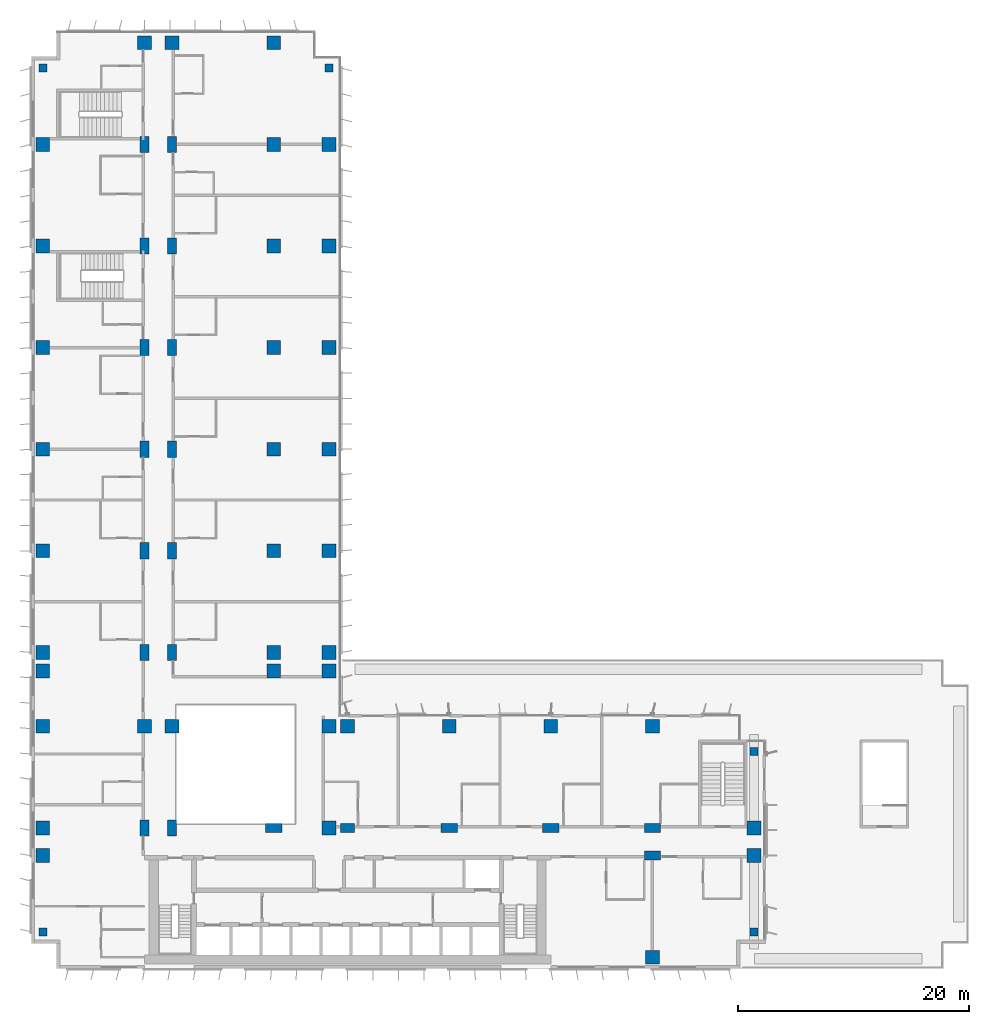
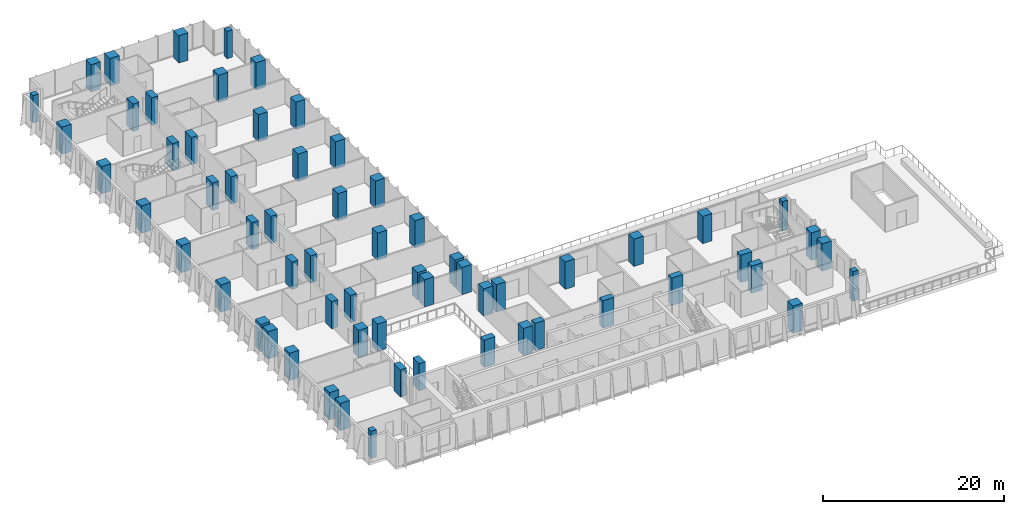
# One storey, part 1 of 27: 63 columns.
"""IFC4 building model written with IfcOpenShell, lengths in metres."""

from ifc_helpers import new_model, si_unit, direction, frame, origin, origin_2d, place, context, subcontext, project, spatial, rectangle, extrude, material, material_profile, profile_set, type_object, element, save


model = new_model("IFC4")

# Units and contexts
model_context = context("Model", 3, precision=1e-05, world=origin(), true_north=direction((0.0, 1.0)))
body_context = subcontext(model_context, "Body", "Model", "MODEL_VIEW")
ifc_project = project(units=[si_unit("LENGTHUNIT", "METRE"), si_unit("AREAUNIT", "SQUARE_METRE"), si_unit("VOLUMEUNIT", "CUBIC_METRE"), si_unit("PLANEANGLEUNIT", "RADIAN"), si_unit("MASSUNIT", "GRAM", prefix="KILO")], contexts=[model_context])

# Site, building, storey
site_placement = place(None, origin())
site = spatial("IfcSite", under=ifc_project, at=site_placement, CompositionType="ELEMENT")
building_placement = place(site_placement, origin())
building = spatial("IfcBuilding", under=site, at=building_placement, Name="Kemantara Hotel Tower", CompositionType="ELEMENT")
storey_placement = place(building_placement, frame((0.0, 0.0, 83.39990234375)))
storey = spatial("IfcBuildingStorey", under=building, at=storey_placement, Name="L19", CompositionType="ELEMENT", Elevation=83.39990234375)

# Columns
ifc_material = material(Name="Concrete fc 70 MPa", Category="concrete")
ifc_material_profile_1 = material_profile(ifc_material, rectangle(XDim=1.199951171875, YDim=1.199951171875, at=origin_2d()), Name="RC 1200X1200")
ifc_profile_set_1 = profile_set([ifc_material_profile_1], Name="Concrete fc 70 MPa")
column_type_1 = type_object("IfcColumnType", Name="RC COLUMN 1200X1200 FC70", PredefinedType="COLUMN", material=ifc_profile_set_1)
for number, where, z_axis, x_axis, name in (
    (1, (1.0, 9.800048828125, 0.0), (0.0, 0.0, 1.0), (1.0, 0.0, 0.0), "COLUMN 1/B L19"),
    (2, (1.0, 12.199951171875, 0.0), (0.0, 0.0, 1.0), (1.0, 0.0, 0.0), "COLUMN 1/BA L19"),
    (3, (1.0, 21.0, 0.0), (0.0, 0.0, 1.0), (1.0, 0.0, 0.0), "COLUMN 1/C L19"),
    (4, (1.0, 25.800048828125, 0.0), (0.0, 0.0, 1.0), (1.0, 0.0, 0.0), "COLUMN 1/CA L19"),
    (5, (1.0, 27.39990234375, 0.0), (0.0, 0.0, 1.0), (1.0, 0.0, 0.0), "COLUMN 1/D L19"),
    (6, (1.0, 36.199951171875, 0.0), (0.0, 0.0, 1.0), (1.0, 0.0, 0.0), "COLUMN 1/E L19"),
    (7, (1.0, 45.0, 0.0), (0.0, 0.0, 1.0), (1.0, 0.0, 0.0), "COLUMN 1/F L19"),
    (8, (1.0, 53.800048828125, 0.0), (0.0, 0.0, 1.0), (1.0, 0.0, 0.0), "COLUMN 1/G L19"),
    (9, (1.0, 62.60009765625, 0.0), (0.0, 0.0, 1.0), (1.0, 0.0, 0.0), "COLUMN 1/H L19"),
    (10, (1.0, 71.39990234375, 0.0), (0.0, 0.0, 1.0), (1.0, 0.0, 0.0), "COLUMN 1/J L19"),
    (11, (9.800048828125, 21.0, 0.0), (0.0, 0.0, 1.0), (1.0, 0.0, 0.0), "COLUMN 2/C L19"),
    (12, (9.800048828125, 80.199951171875, 0.0), (0.0, 0.0, 1.0), (1.0, 0.0, 0.0), "COLUMN 2/K L19"),
    (13, (12.199951171875, 21.0, 0.0), (0.0, 0.0, 1.0), (1.0, 0.0, 0.0), "COLUMN 2A/C L19"),
    (14, (12.199951171875, 80.199951171875, 0.0), (0.0, 0.0, 1.0), (1.0, 0.0, 0.0), "COLUMN 2A/K L19"),
    (15, (21.0, 25.800048828125, 0.0), (0.0, 0.0, 1.0), (1.0, 0.0, 0.0), "COLUMN 3/CA L19"),
    (16, (21.0, 27.39990234375, 0.0), (0.0, 0.0, 1.0), (1.0, 0.0, 0.0), "COLUMN 3/D L19"),
    (17, (21.0, 36.199951171875, 0.0), (0.0, 0.0, 1.0), (1.0, 0.0, 0.0), "COLUMN 3/E L19"),
    (18, (21.0, 45.0, 0.0), (0.0, 0.0, 1.0), (1.0, 0.0, 0.0), "COLUMN 3/F L19"),
    (19, (21.0, 53.800048828125, 0.0), (0.0, 0.0, 1.0), (1.0, 0.0, 0.0), "COLUMN 3/G L19"),
    (20, (21.0, 62.60009765625, 0.0), (0.0, 0.0, 1.0), (1.0, 0.0, 0.0), "COLUMN 3/H L19"),
    (21, (21.0, 71.39990234375, 0.0), (0.0, 0.0, 1.0), (1.0, 0.0, 0.0), "COLUMN 3/J L19"),
    (22, (21.0, 80.199951171875, 0.0), (0.0, 0.0, 1.0), (1.0, 0.0, 0.0), "COLUMN 3/K L19"),
    (23, (25.800048828125, 12.199951171875, 0.0), (0.0, 0.0, 1.0), (1.0, 0.0, 0.0), "COLUMN 3A/BA L19"),
    (24, (25.800048828125, 21.0, 0.0), (0.0, 0.0, 1.0), (1.0, 0.0, 0.0), "COLUMN 3A/C L19"),
    (25, (25.800048828125, 25.800048828125, 0.0), (0.0, 0.0, 1.0), (1.0, 0.0, 0.0), "COLUMN 3A/CA L19"),
    (26, (25.800048828125, 27.39990234375, 0.0), (0.0, 0.0, 1.0), (1.0, 0.0, 0.0), "COLUMN 3A/D L19"),
    (27, (25.800048828125, 36.199951171875, 0.0), (0.0, 0.0, 1.0), (1.0, 0.0, 0.0), "COLUMN 3A/E L19"),
    (28, (25.800048828125, 45.0, 0.0), (0.0, 0.0, 1.0), (1.0, 0.0, 0.0), "COLUMN 3A/F L19"),
    (29, (25.800048828125, 53.800048828125, 0.0), (0.0, 0.0, 1.0), (1.0, 0.0, 0.0), "COLUMN 3A/G L19"),
    (30, (25.800048828125, 62.60009765625, 0.0), (0.0, 0.0, 1.0), (1.0, 0.0, 0.0), "COLUMN 3A/H L19"),
    (31, (25.800048828125, 71.39990234375, 0.0), (0.0, 0.0, 1.0), (1.0, 0.0, 0.0), "COLUMN 3A/J L19"),
    (32, (27.39990234375, 21.0, 0.0), (0.0, 0.0, 1.0), (1.0, 0.0, 0.0), "COLUMN 4/C L19"),
    (33, (36.199951171875, 21.0, 0.0), (0.0, 0.0, 1.0), (1.0, 0.0, 0.0), "COLUMN 5/C L19"),
    (34, (45.0, 21.0, 0.0), (0.0, 0.0, 1.0), (1.0, 0.0, 0.0), "COLUMN 6/C L19"),
    (35, (53.800048828125, 1.0, 0.0), (0.0, 0.0, 1.0), (1.0, 0.0, 0.0), "COLUMN 7/A L19"),
    (36, (53.800048828125, 21.0, 0.0), (0.0, 0.0, 1.0), (1.0, 0.0, 0.0), "COLUMN 7/C L19"),
    (37, (62.60009765625, 9.800048828125, 0.0), (0.0, 0.0, 1.0), (1.0, 0.0, 0.0), "COLUMN 8/B L19"),
    (38, (62.60009765625, 12.199951171875, 0.0), (0.0, 0.0, 1.0), (1.0, 0.0, 0.0), "COLUMN 8/BA L19"),
):
    element("IfcColumn", number, at=place(storey_placement, frame(where, z_axis=z_axis, x_axis=x_axis)), inside=storey, type_object=column_type_1, Name=name, PredefinedType="COLUMN", context=body_context, shape_type="SweptSolid", body=[
        extrude(rectangle(XDim=1.199951171875, YDim=1.199951171875, at=origin_2d()), origin(), (0.0, 0.0, 1.0), 3.7001953125),
    ])
ifc_material_profile_2 = material_profile(ifc_material, rectangle(XDim=1.199951171875, YDim=0.800048828125, at=origin_2d()), Name="RC 1200X800")
ifc_profile_set_2 = profile_set([ifc_material_profile_2], Name="Concrete fc 70 MPa")
column_type_2 = type_object("IfcColumnType", Name="RC COLUMN 1200X800 FC70", PredefinedType="COLUMN", material=ifc_profile_set_2)
column_placement = place(storey_placement, frame((27.39990234375, 12.199951171875, 0.0), z_axis=(0.0, 0.0, 1.0), x_axis=(1.0, 0.0, 0.0)))
element("IfcColumn", 39, at=column_placement, inside=storey, type_object=column_type_2, Name="COLUMN 4/BA L19", PredefinedType="COLUMN", context=body_context, shape_type="SweptSolid", body=[
    extrude(rectangle(XDim=1.199951171875, YDim=0.800048828125, at=origin_2d()), origin(), (0.0, 0.0, 1.0), 3.7001953125),
])
ifc_material_profile_3 = material_profile(ifc_material, rectangle(XDim=1.39990234375, YDim=0.800048828125, at=origin_2d()), Name="RC 1400X800")
ifc_profile_set_3 = profile_set([ifc_material_profile_3], Name="Concrete fc 70 MPa")
column_type_3 = type_object("IfcColumnType", Name="RC COLUMN 1400X800 FC70", PredefinedType="COLUMN", material=ifc_profile_set_3)
for number, where, z_axis, x_axis, name in (
    (40, (9.800048828125, 12.199951171875, 0.0), (0.0, 0.0, 1.0), (0.0, 1.0, 0.0), "COLUMN 2/BA L19"),
    (41, (9.800048828125, 27.39990234375, 0.0), (0.0, 0.0, 1.0), (0.0, 1.0, 0.0), "COLUMN 2/D L19"),
    (42, (9.800048828125, 36.199951171875, 0.0), (0.0, 0.0, 1.0), (0.0, 1.0, 0.0), "COLUMN 2/E L19"),
    (43, (9.800048828125, 45.0, 0.0), (0.0, 0.0, 1.0), (0.0, 1.0, 0.0), "COLUMN 2/F L19"),
    (44, (9.800048828125, 53.800048828125, 0.0), (0.0, 0.0, 1.0), (0.0, 1.0, 0.0), "COLUMN 2/G L19"),
    (45, (9.800048828125, 62.60009765625, 0.0), (0.0, 0.0, 1.0), (0.0, 1.0, 0.0), "COLUMN 2/H L19"),
    (46, (9.800048828125, 71.39990234375, 0.0), (0.0, 0.0, 1.0), (0.0, 1.0, 0.0), "COLUMN 2/J L19"),
    (47, (12.199951171875, 12.199951171875, 0.0), (0.0, 0.0, 1.0), (0.0, 1.0, 0.0), "COLUMN 2A/BA L19"),
    (48, (12.199951171875, 27.39990234375, 0.0), (0.0, 0.0, 1.0), (0.0, 1.0, 0.0), "COLUMN 2A/D L19"),
    (49, (12.199951171875, 36.199951171875, 0.0), (0.0, 0.0, 1.0), (0.0, 1.0, 0.0), "COLUMN 2A/E L19"),
    (50, (12.199951171875, 45.0, 0.0), (0.0, 0.0, 1.0), (0.0, 1.0, 0.0), "COLUMN 2A/F L19"),
    (51, (12.199951171875, 53.800048828125, 0.0), (0.0, 0.0, 1.0), (0.0, 1.0, 0.0), "COLUMN 2A/G L19"),
    (52, (12.199951171875, 62.60009765625, 0.0), (0.0, 0.0, 1.0), (0.0, 1.0, 0.0), "COLUMN 2A/H L19"),
    (53, (12.199951171875, 71.39990234375, 0.0), (0.0, 0.0, 1.0), (0.0, 1.0, 0.0), "COLUMN 2A/J L19"),
    (54, (21.0, 12.199951171875, 0.0), (0.0, 0.0, 1.0), (1.0, 0.0, 0.0), "COLUMN 3/BA L19"),
    (55, (36.199951171875, 12.199951171875, 0.0), (0.0, 0.0, 1.0), (1.0, 0.0, 0.0), "COLUMN 5/BA L19"),
    (56, (45.0, 12.199951171875, 0.0), (0.0, 0.0, 1.0), (1.0, 0.0, 0.0), "COLUMN 6/BA L19"),
    (57, (53.800048828125, 9.800048828125, 0.0), (0.0, 0.0, 1.0), (1.0, 0.0, 0.0), "COLUMN 7/B L19"),
    (58, (53.800048828125, 12.199951171875, 0.0), (0.0, 0.0, 1.0), (1.0, 0.0, 0.0), "COLUMN 7/BA L19"),
):
    element("IfcColumn", number, at=place(storey_placement, frame(where, z_axis=z_axis, x_axis=x_axis)), inside=storey, type_object=column_type_3, Name=name, PredefinedType="COLUMN", context=body_context, shape_type="SweptSolid", body=[
        extrude(rectangle(XDim=1.39990234375, YDim=0.800048828125, at=origin_2d()), origin(), (0.0, 0.0, 1.0), 3.7001953125),
    ])
ifc_material_profile_4 = material_profile(ifc_material, rectangle(XDim=0.699951171875, YDim=0.699951171875, at=origin_2d()), Name="RC 700X700")
ifc_profile_set_4 = profile_set([ifc_material_profile_4], Name="Concrete fc 70 MPa")
column_type_4 = type_object("IfcColumnType", Name="RC COLUMN 700X700 FC70", PredefinedType="COLUMN", material=ifc_profile_set_4)
for number, where, z_axis, x_axis, name in (
    (59, (1.0, 3.199951171875, 0.0), (0.0, 0.0, 1.0), (1.0, 0.0, 0.0), "COLUMN notch corner L19"),
    (60, (1.0, 78.0, 0.0), (0.0, 0.0, 1.0), (1.0, 0.0, 0.0), "COLUMN notch corner L19"),
    (61, (25.800048828125, 78.0, 0.0), (0.0, 0.0, 1.0), (1.0, 0.0, 0.0), "COLUMN notch corner L19"),
):
    element("IfcColumn", number, at=place(storey_placement, frame(where, z_axis=z_axis, x_axis=x_axis)), inside=storey, type_object=column_type_4, Name=name, PredefinedType="COLUMN", context=body_context, shape_type="SweptSolid", body=[
        extrude(rectangle(XDim=0.699951171875, YDim=0.699951171875, at=origin_2d()), origin(), (0.0, 0.0, 1.0), 3.7001953125),
    ])
for number, where, z_axis, x_axis, name in (
    (62, (62.60009765625, 3.199951171875, -0.2998046875), (0.0, 0.0, 1.0), (1.0, 0.0, 0.0), "Transfer column TC1 L19"),
    (63, (62.60009765625, 18.800048828125, -0.2998046875), (0.0, 0.0, 1.0), (1.0, 0.0, 0.0), "Transfer column TC2 L19"),
):
    element("IfcColumn", number, at=place(storey_placement, frame(where, z_axis=z_axis, x_axis=x_axis)), inside=storey, type_object=column_type_4, Name=name, PredefinedType="COLUMN", context=body_context, shape_type="SweptSolid", body=[
        extrude(rectangle(XDim=0.699951171875, YDim=0.699951171875, at=origin_2d()), origin(), (0.0, 0.0, 1.0), 4.0),
    ])

save(model, "model.ifc")
